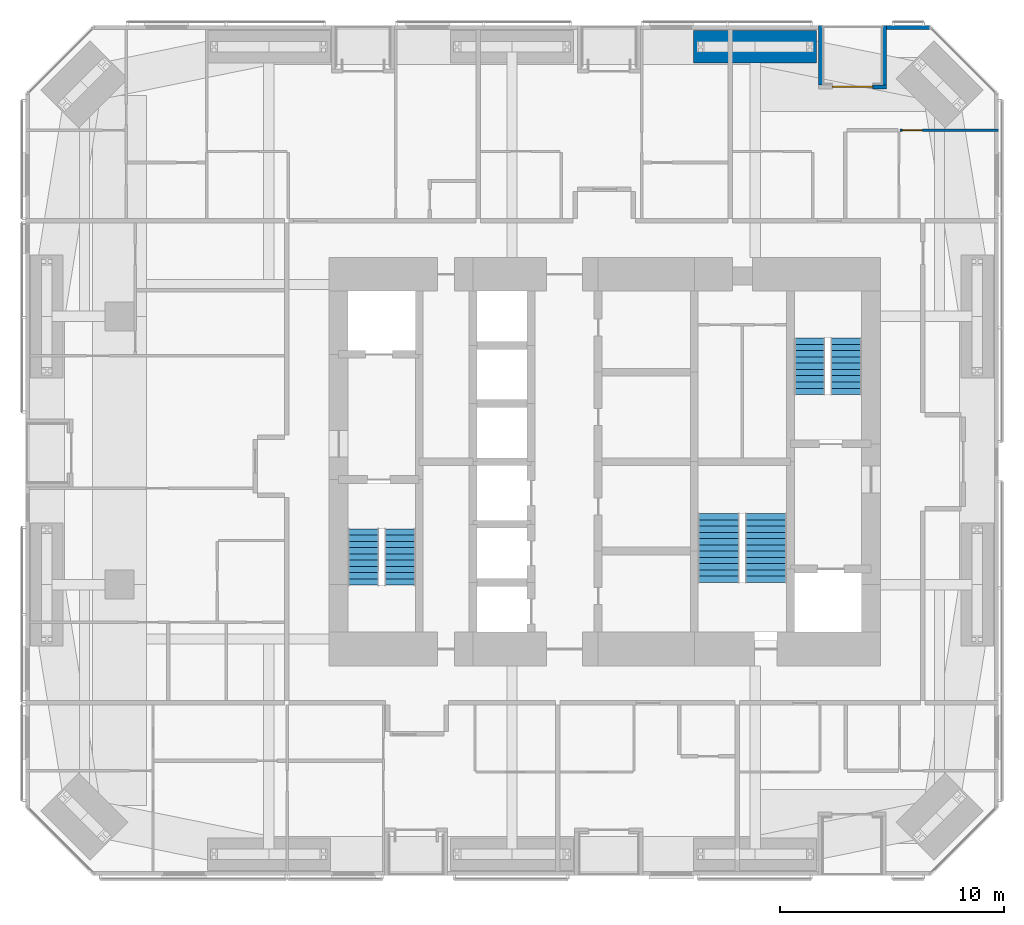
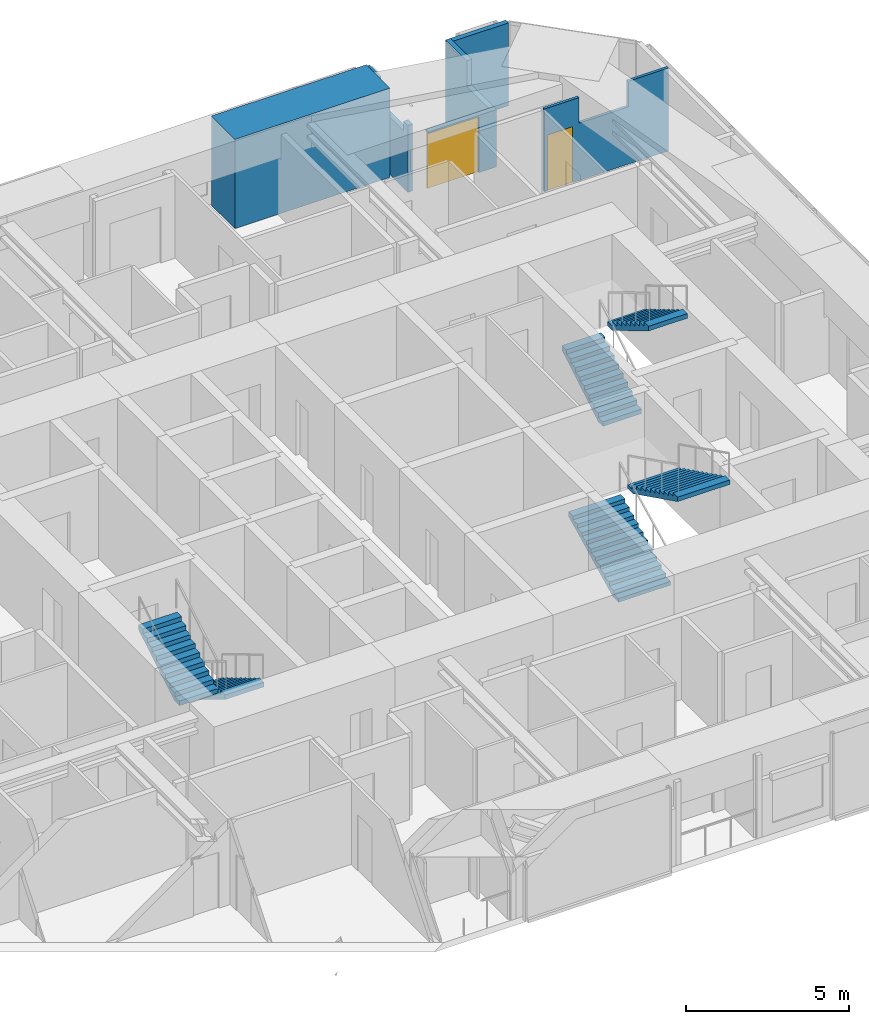
# One storey, part 23 of 24: 6 stair flights, 6 walls, 2 doors, 2 openings, 3 elements without a shape of their own.
"""IFC4 building model written with IfcOpenShell, lengths in metres."""

import ifcopenshell
import ifcopenshell.guid

model = None  # the IFC model being written
_history = None  # IfcOwnerHistory: only IFC2X3 demands one
_inside = {}  # id of a spatial element -> (the spatial element, [elements in it])
_under = {}  # id of a project, library or spatial element -> (it, [spatial elements below it])
_declared = {}  # id of a project -> (the project, [libraries it declares])
_typed = {}  # id of a type object -> (the type object, [elements of that type])
_made_of = {}  # id of a material, layer set ... -> (it, [elements and type objects made of it])


def new_model(schema):
    """Start an empty IFC model of exactly this schema.

    Asked for "IFC4X3", IfcOpenShell would pick the latest addendum, in which some entities
    have other attributes; the version numbers below select the first issue.
    IFC2X3 requires an IfcOwnerHistory on every rooted entity: one is made here for all.
    """
    global model, _history
    if schema == "IFC4X3":
        model = ifcopenshell.file(schema_version=(4, 3, 0, 0))
    else:
        model = ifcopenshell.file(schema=schema)
    _inside.clear()
    _under.clear()
    _declared.clear()
    _typed.clear()
    _made_of.clear()
    _history = None
    if model.schema == "IFC2X3":
        org = make("IfcOrganization", Name="unknown")
        user = make(
            "IfcPersonAndOrganization",
            ThePerson=make("IfcPerson", FamilyName="unknown"),
            TheOrganization=org,
        )
        app = make(
            "IfcApplication",
            ApplicationDeveloper=org,
            Version="unknown",
            ApplicationFullName="unknown",
            ApplicationIdentifier="unknown",
        )
        _history = make(
            "IfcOwnerHistory",
            OwningUser=user,
            OwningApplication=app,
            ChangeAction="ADDED",
            CreationDate=0,
        )
    return model


def make(cls, **values):
    """One entity of the class cls with the attributes given. An attribute that is None is left unset."""
    return model.create_entity(
        cls, **{name: value for name, value in values.items() if value is not None}
    )


def rooted(cls, **values):
    """An entity with a GlobalId (a new one), such as an element, a storey or a relation."""
    return make(cls, GlobalId=ifcopenshell.guid.new(), OwnerHistory=_history, **values)


def si_unit(unit_type, name, prefix=None):
    """IfcSIUnit, for example si_unit("LENGTHUNIT", "METRE", prefix="MILLI")."""
    return make("IfcSIUnit", UnitType=unit_type, Prefix=prefix, Name=name)


def assignment(units):
    """IfcUnitAssignment: the units of a project."""
    return None if units is None else make("IfcUnitAssignment", Units=units)


def point(xyz):
    """IfcCartesianPoint."""
    return None if xyz is None else make("IfcCartesianPoint", Coordinates=xyz)


def direction(xyz):
    """IfcDirection."""
    return None if xyz is None else make("IfcDirection", DirectionRatios=xyz)


def frame(location, z_axis=None, x_axis=None):
    """IfcAxis2Placement3D, a coordinate frame: its origin and axes. An axis left out is left unset."""
    return make(
        "IfcAxis2Placement3D",
        Location=point(location),
        Axis=direction(z_axis),
        RefDirection=direction(x_axis),
    )


def frame_2d(location, x_axis=None):
    """IfcAxis2Placement2D, a coordinate frame in the plane: its origin and x axis."""
    return make(
        "IfcAxis2Placement2D", Location=point(location), RefDirection=direction(x_axis)
    )


def origin():
    """The frame at (0, 0, 0) with its axes left unset."""
    return frame((0.0, 0.0, 0.0))


def place(relative_to, where):
    """IfcLocalPlacement: puts the frame where relative to a parent placement (None: the world)."""
    return make(
        "IfcLocalPlacement", PlacementRelTo=relative_to, RelativePlacement=where
    )


def context(
    kind, dimensions, precision=None, world=None, true_north=None, identifier=None
):
    """IfcGeometricRepresentationContext, for example the 3D "Model" context."""
    return make(
        "IfcGeometricRepresentationContext",
        ContextIdentifier=identifier,
        ContextType=kind,
        CoordinateSpaceDimension=dimensions,
        Precision=precision,
        WorldCoordinateSystem=world,
        TrueNorth=true_north,
    )


def subcontext(parent, identifier, kind, view, scale=None):
    """IfcGeometricRepresentationSubContext, for example "Body" below "Model"."""
    return make(
        "IfcGeometricRepresentationSubContext",
        ContextIdentifier=identifier,
        ContextType=kind,
        ParentContext=parent,
        TargetScale=scale,
        TargetView=view,
    )


def project(units=None, contexts=None):
    """IfcProject with its units and contexts."""
    return rooted(
        "IfcProject",
        Name="project",
        RepresentationContexts=contexts,
        UnitsInContext=assignment(units),
    )


def spatial(cls, under=None, at=None, **own):
    """A site, building, storey or space (cls), placed at a placement, below another one or the project."""
    s = rooted(cls, ObjectPlacement=at, **own)
    if under is not None:
        _under.setdefault(under.id(), (under, []))[1].append(s)
    return s


def polyline(points):
    """IfcPolyline through the points."""
    return make("IfcPolyline", Points=[point(p) for p in points])


def profile(cls, at=None, kind="AREA", **sizes):
    """A parametric profile (cls). Its sizes go by their IFC names, for example OverallWidth=200.0."""
    return make(cls, ProfileType=kind, Position=at, **sizes)


def rectangle(**sizes):
    """IfcRectangleProfileDef."""
    return profile("IfcRectangleProfileDef", **sizes)


def outline(outer, holes=None, kind="AREA"):
    """IfcArbitraryClosedProfileDef: a profile drawn as a closed curve; with holes, ...WithVoids."""
    if holes is None:
        return make("IfcArbitraryClosedProfileDef", ProfileType=kind, OuterCurve=outer)
    return make(
        "IfcArbitraryProfileDefWithVoids",
        ProfileType=kind,
        OuterCurve=outer,
        InnerCurves=holes,
    )


def extrude(swept, where, along, depth):
    """IfcExtrudedAreaSolid: the profile swept, set in the frame where, extruded along a direction by depth."""
    return make(
        "IfcExtrudedAreaSolid",
        SweptArea=swept,
        Position=where,
        ExtrudedDirection=direction(along),
        Depth=depth,
    )


def shape(context_of_items, identifier, shape_type, items):
    """IfcShapeRepresentation: the items that make up one representation, for example the "Body"."""
    return make(
        "IfcShapeRepresentation",
        ContextOfItems=context_of_items,
        RepresentationIdentifier=identifier,
        RepresentationType=shape_type,
        Items=items,
    )


def material(Name=None, Category=None):
    """IfcMaterial."""
    return make("IfcMaterial", Name=Name, Category=Category)


def layer(
    of_material, thickness, ventilated=None, Name=None, Category=None, Priority=None
):
    """IfcMaterialLayer: one layer of a wall or slab, of a material (None: an air gap)."""
    return make(
        "IfcMaterialLayer",
        Material=of_material,
        LayerThickness=thickness,
        IsVentilated=ventilated,
        Name=Name,
        Category=Category,
        Priority=Priority,
    )


def layer_set(layers, Name=None):
    """IfcMaterialLayerSet."""
    return make("IfcMaterialLayerSet", MaterialLayers=layers, LayerSetName=Name)


def constituent(of_material, Name=None, Category=None, fraction=None):
    """IfcMaterialConstituent: one of the materials an element consists of."""
    return make(
        "IfcMaterialConstituent",
        Name=Name,
        Material=of_material,
        Fraction=fraction,
        Category=Category,
    )


def constituent_set(constituents=None, Name=None):
    """IfcMaterialConstituentSet."""
    return make(
        "IfcMaterialConstituentSet", Name=Name, MaterialConstituents=constituents
    )


def made_of(thing, what):
    """Note that an element or type object is made of a material, layer set ...; save() writes the relation."""
    if what is not None:
        _made_of.setdefault(what.id(), (what, []))[1].append(thing)
    return thing


def type_object(cls, material=None, **own):
    """A type object (cls), such as IfcWallType, which elements share."""
    return made_of(rooted(cls, **own), material)


def element(
    cls,
    number,
    at=None,
    inside=None,
    cuts=None,
    type_object=None,
    material=None,
    context=None,
    identifier="Body",
    shape_type=None,
    held_by="IfcProductDefinitionShape",
    body=None,
    shapes=None,
    **own,
):
    """One element of the class cls, such as IfcWall. Its Tag is "e" and its number.

    at: its placement. inside: the storey or other place that contains it. cuts: it is an
    opening in that element (IfcRelVoidsElement). A single representation is given by context,
    identifier, shape_type and body (its items); several are given by shapes. held_by: the class
    of the entity that holds the representations. save() writes the other relations.
    """
    e = rooted(cls, Tag="e%d" % number, ObjectPlacement=at, **own)
    if body is not None:
        shapes = [shape(context, identifier, shape_type, body)]
    if shapes is not None:
        e.Representation = make(held_by, Representations=shapes)
    if inside is not None:
        _inside.setdefault(inside.id(), (inside, []))[1].append(e)
    if cuts is not None:
        rooted(
            "IfcRelVoidsElement", RelatingBuildingElement=cuts, RelatedOpeningElement=e
        )
    if type_object is not None:
        _typed.setdefault(type_object.id(), (type_object, []))[1].append(e)
    return made_of(e, material)


def fill(opening, filler):
    """IfcRelFillsElement: the door or window that sits in an opening."""
    return rooted(
        "IfcRelFillsElement",
        RelatingOpeningElement=opening,
        RelatedBuildingElement=filler,
    )


def aggregate(whole, parts):
    """IfcRelAggregates: a whole, such as a stair, and the parts it consists of."""
    return rooted("IfcRelAggregates", RelatingObject=whole, RelatedObjects=parts)


def save(model, path):
    """Write the relations noted so far, then the file.

    IfcRelAggregates (storeys below a building ...), IfcRelContainedInSpatialStructure (elements
    in a storey), IfcRelDefinesByType, IfcRelAssociatesMaterial and IfcRelDeclares: one each for
    every whole, place, type object, material and project.
    """
    for whole, parts in _under.values():
        aggregate(whole, parts)
    for where, things in _inside.values():
        rooted(
            "IfcRelContainedInSpatialStructure",
            RelatedElements=things,
            RelatingStructure=where,
        )
    for kind, things in _typed.values():
        rooted("IfcRelDefinesByType", RelatedObjects=things, RelatingType=kind)
    for what, things in _made_of.values():
        rooted("IfcRelAssociatesMaterial", RelatedObjects=things, RelatingMaterial=what)
    for by, libraries in _declared.values():
        rooted("IfcRelDeclares", RelatingContext=by, RelatedDefinitions=libraries)
    model.write(path)


model = new_model("IFC4")

# Units and contexts
model_context = context("Model", 3, precision=1e-05, world=origin(), true_north=direction((0.0, 1.0)))
body_context = subcontext(model_context, "Body", "Model", "MODEL_VIEW")
ifc_project = project(units=[si_unit("LENGTHUNIT", "METRE"), si_unit("AREAUNIT", "SQUARE_METRE"), si_unit("VOLUMEUNIT", "CUBIC_METRE"), si_unit("PLANEANGLEUNIT", "RADIAN"), si_unit("MASSUNIT", "GRAM", prefix="KILO")], contexts=[model_context])

# Site, building, storey
site_placement = place(None, origin())
site = spatial("IfcSite", under=ifc_project, at=site_placement, CompositionType="ELEMENT")
building_placement = place(site_placement, origin())
building = spatial("IfcBuilding", under=site, at=building_placement, Name="Jalousie Tower", CompositionType="ELEMENT")
storey_placement = place(building_placement, frame((0.0, 0.0, 91.449951171875)))
storey = spatial("IfcBuildingStorey", under=building, at=storey_placement, Name="L24", CompositionType="ELEMENT", Elevation=91.449951171875)

# Wall
ifc_material_1 = material(Name="Concrete f'c 40 MPa", Category="concrete")
ifc_constituent_1 = constituent(ifc_material_1, Name="Body")
ifc_material_2 = material(Name="Render, pastel sea green")
ifc_constituent_2 = constituent(ifc_material_2, Name="Finish")
ifc_constituent_set_1 = constituent_set(constituents=[ifc_constituent_1, ifc_constituent_2])
wall_type_1 = type_object("IfcWallType", Name="EXTERNAL WALL 175 SEA GREEN RENDER", PredefinedType="SOLIDWALL", material=ifc_constituent_set_1)
wall_1_placement = place(storey_placement, frame((46.44873046875, 37.91259765625, 0.0), z_axis=(0.0, 0.0, 1.0), x_axis=(-1.0, 0.0, 0.0)))
element("IfcWall", 1, at=wall_1_placement, inside=storey, type_object=wall_type_1, Name="External Wall 175 Sea Green Render L24", PredefinedType="SOLIDWALL", context=body_context, shape_type="SweptSolid", body=[
    extrude(rectangle(XDim=1.949951171875, YDim=0.175048828125, at=frame_2d((0.97509765625, 0.0))), origin(), (0.0, 0.0, 1.0), 3.110107421875),
])

# Wall, opening, door
wall_2_placement = place(storey_placement, frame((44.498779296875, 35.262451171875, 0.0), z_axis=(0.0, 0.0, 1.0), x_axis=(-1.0, 0.0, 0.0)))
wall_2 = element("IfcWall", 2, at=wall_2_placement, inside=storey, type_object=wall_type_1, Name="External Wall 175 Sea Green Render L24-A", PredefinedType="SOLIDWALL", context=body_context, shape_type="SweptSolid", body=[
    extrude(rectangle(XDim=2.425048828125, YDim=0.175048828125, at=frame_2d((1.21240234375, 0.0))), origin(), (0.0, 0.0, 1.0), 2.150146484375),
])
opening_1_placement = place(wall_2_placement, frame((0.625, 0.0, 0.0)))
opening_1 = element("IfcOpeningElement", 3, at=opening_1_placement, cuts=wall_2, Name="Opening D-BAL21", PredefinedType="OPENING", context=body_context, shape_type="SweptSolid", body=[
    extrude(rectangle(XDim=1.800048828125, YDim=2.10009765625, at=frame_2d((0.89990234375, 1.050048828125))), frame((0.0, 0.097412109375, 0.0), z_axis=(0.0, -1.0, 0.0), x_axis=(1.0, 0.0, 0.0)), (0.0, 0.0, 1.0), 0.195068359375),
])
ifc_material_3 = material(Name="Aluminium frame, impact-rated glazing", Category="aluminium")
door_type_1 = type_object("IfcDoorType", Name="BALCONY DOOR 1800x2100", OperationType="SLIDING_TO_LEFT", PredefinedType="DOOR", material=ifc_material_3)
door_1_placement = place(opening_1_placement, origin())
door_1 = element("IfcDoor", 4, at=door_1_placement, inside=storey, type_object=door_type_1, Name="Apartment 2406 living and dining room loggia door", OperationType="SLIDING_TO_LEFT", OverallHeight=2.10009765625, OverallWidth=1.800048828125, PredefinedType="DOOR", context=body_context, shape_type="SweptSolid", body=[
    extrude(rectangle(XDim=1.800048828125, YDim=2.10009765625, at=frame_2d((0.89990234375, 1.050048828125))), frame((0.0, 0.02490234375, 0.0), z_axis=(0.0, -1.0, 0.0), x_axis=(1.0, 0.0, 0.0)), (0.0, 0.0, 1.0), 0.050048828125),
])
fill(opening_1, door_1)

# Walls
wall_3_placement = place(storey_placement, frame((44.4111328125, 38.0, 0.0), z_axis=(0.0, 0.0, 1.0), x_axis=(0.0, -1.0, 0.0)))
element("IfcWall", 5, at=wall_3_placement, inside=storey, type_object=wall_type_1, Name="External Wall 175 Sea Green Render L24", PredefinedType="SOLIDWALL", context=body_context, shape_type="SweptSolid", body=[
    extrude(outline(polyline([(0.0, 0.0), (2.64990234375, 0.0), (2.64990234375, 2.150146484375), (1.2958984375, 2.150146484375), (1.2958984375, 3.110107421875), (0.0, 3.110107421875), (0.0, 0.0)])), frame((0.0, 0.08740234375, 0.0), z_axis=(0.0, -1.0, 0.0), x_axis=(1.0, 0.0, 0.0)), (0.0, 0.0, 1.0), 0.175048828125),
])
wall_4_placement = place(storey_placement, frame((41.5361328125, 38.0, 0.0), z_axis=(0.0, 0.0, 1.0), x_axis=(0.0, -1.0, 0.0)))
element("IfcWall", 6, at=wall_4_placement, inside=storey, type_object=wall_type_1, Name="External Wall 175 Sea Green Render L24", PredefinedType="SOLIDWALL", context=body_context, shape_type="SweptSolid", body=[
    extrude(outline(polyline([(0.0, 0.0), (2.64990234375, 0.0), (2.64990234375, 2.510009765625), (2.378173828125, 2.510009765625), (2.378173828125, 2.150146484375), (0.70947265625, 2.150146484375), (0.70947265625, 3.110107421875), (0.0, 3.110107421875), (0.0, 0.0)])), frame((0.0, 0.08740234375, 0.0), z_axis=(0.0, -1.0, 0.0), x_axis=(1.0, 0.0, 0.0)), (0.0, 0.0, 1.0), 0.175048828125),
])

# Wall, opening, door
ifc_material_4 = material(Name="Gypsum board", Category="gypsum")
ifc_constituent_3 = constituent(ifc_material_4, Name="Body")
ifc_material_5 = material(Name="Light-gauge steel studs ASTM A653 SS Grade 33", Category="steel")
ifc_constituent_4 = constituent(ifc_material_5, Name="Framing")
ifc_constituent_set_2 = constituent_set(constituents=[ifc_constituent_3, ifc_constituent_4])
wall_type_2 = type_object("IfcWallType", Name="PARTITION 100", PredefinedType="PARTITIONING", material=ifc_constituent_set_2)
wall_5_placement = place(storey_placement, frame((45.10009765625, 33.32421875, 0.0), z_axis=(0.0, 0.0, 1.0), x_axis=(1.0, 0.0, 0.0)))
wall_5 = element("IfcWall", 7, at=wall_5_placement, inside=storey, type_object=wall_type_2, Name="Partition 100 L24", PredefinedType="PARTITIONING", context=body_context, shape_type="SweptSolid", body=[
    extrude(outline(polyline([(0.0, 0.0), (4.39990234375, 0.0), (4.39990234375, 3.110107421875), (2.971435546875, 3.110107421875), (2.971435546875, 2.150146484375), (1.22900390625, 2.150146484375), (1.22900390625, 3.110107421875), (0.0, 3.110107421875), (0.0, 0.0)])), frame((0.0, 0.050048828125, 0.0), z_axis=(0.0, -1.0, 0.0), x_axis=(1.0, 0.0, 0.0)), (0.0, 0.0, 1.0), 0.10009765625),
])
opening_2_placement = place(wall_5_placement, frame((0.10009765625, 0.0, 0.0)))
opening_2 = element("IfcOpeningElement", 8, at=opening_2_placement, cuts=wall_5, Name="Opening D2", PredefinedType="OPENING", context=body_context, shape_type="SweptSolid", body=[
    extrude(rectangle(XDim=0.89990234375, YDim=2.10009765625, at=frame_2d((0.449951171875, 1.050048828125))), frame((0.0, 0.06005859375, 0.0), z_axis=(0.0, -1.0, 0.0), x_axis=(1.0, 0.0, 0.0)), (0.0, 0.0, 1.0), 0.1201171875),
])
ifc_material_6 = material(Name="Timber door", Category="wood")
door_type_2 = type_object("IfcDoorType", Name="BEDROOM DOOR 900", OperationType="SINGLE_SWING_LEFT", PredefinedType="DOOR", material=ifc_material_6)
door_2_placement = place(opening_2_placement, frame((0.89990234375, 0.0, 0.0), z_axis=(0.0, 0.0, 1.0), x_axis=(-1.0, 0.0, 0.0)))
door_2 = element("IfcDoor", 9, at=door_2_placement, inside=storey, type_object=door_type_2, Name="Apartment 2406 bedroom 1 door", OperationType="SINGLE_SWING_RIGHT", OverallHeight=2.10009765625, OverallWidth=0.89990234375, PredefinedType="DOOR", context=body_context, shape_type="SweptSolid", body=[
    extrude(rectangle(XDim=0.89990234375, YDim=2.10009765625, at=frame_2d((0.449951171875, 1.050048828125))), frame((0.0, 0.02490234375, 0.0), z_axis=(0.0, -1.0, 0.0), x_axis=(1.0, 0.0, 0.0)), (0.0, 0.0, 1.0), 0.050048828125),
])
fill(opening_2, door_2)

# Wall
ifc_material_7 = material(Name="Concrete f'c 120 MPa", Category="concrete")
ifc_layer = layer(ifc_material_7, 1.449951171875)
ifc_layer_set = layer_set([ifc_layer], Name="Concrete f'c 120 MPa")
wall_type_3 = type_object("IfcWallType", Name="RC WALL PIER 1450", PredefinedType="SHEAR", material=ifc_layer_set)
wall_6_placement = place(storey_placement, frame((35.875, 37.050048828125, 0.0), z_axis=(0.0, 0.0, 1.0), x_axis=(1.0, 0.0, 0.0)))
element("IfcWall", 10, at=wall_6_placement, inside=storey, type_object=wall_type_3, Name="Wall pier 09 L24", PredefinedType="SHEAR", context=body_context, shape_type="SweptSolid", body=[
    extrude(rectangle(XDim=5.5, YDim=1.449951171875, at=frame_2d((2.75, 0.0))), origin(), (0.0, 0.0, 1.0), 3.35009765625),
])

# Stair, stair flights
ifc_material_8 = material(Name="Concrete f'c 40 MPa", Category="concrete")
stair_type = type_object("IfcStairType", Name="EXIT STAIR", PredefinedType="HALF_TURN_STAIR", material=ifc_material_8)
stair_1_placement = place(storey_placement, origin())
stair_1 = element("IfcStair", 11, at=stair_1_placement, inside=storey, type_object=stair_type, Name="Exit stair A L24", PredefinedType="HALF_TURN_STAIR")
ifc_material_9 = material(Name="Concrete f'c 40 MPa", Category="concrete")
stair_flight_type = type_object("IfcStairFlightType", Name="STAIR FLIGHT", PredefinedType="STRAIGHT", material=ifc_material_9)
stair_flight_1_placement = place(storey_placement, frame((22.737548828125, 15.49755859375, 0.0), z_axis=(0.0, 0.0, 1.0), x_axis=(0.0, -1.0, 0.0)))
stair_flight_1 = element("IfcStairFlight", 12, at=stair_flight_1_placement, type_object=stair_flight_type, Name="ST-A flight 1", NumberOfRisers=10, NumberOfTreads=9, PredefinedType="STRAIGHT", RiserHeight=0.1675, TreadLength=0.28, context=body_context, shape_type="SweptSolid", body=[
    extrude(outline(polyline([(0.0, 0.0), (0.0, 0.16748046875), (0.280029296875, 0.16748046875), (0.280029296875, 0.3349609375), (0.56005859375, 0.3349609375), (0.56005859375, 0.50244140625), (0.840087890625, 0.50244140625), (0.840087890625, 0.669921875), (1.1201171875, 0.669921875), (1.1201171875, 0.83740234375), (1.39990234375, 0.83740234375), (1.39990234375, 1.0048828125), (1.679931640625, 1.0048828125), (1.679931640625, 1.172607421875), (1.9599609375, 1.172607421875), (1.9599609375, 1.340087890625), (2.239990234375, 1.340087890625), (2.239990234375, 1.507568359375), (2.52001953125, 1.507568359375), (2.52001953125, 1.675048828125), (2.52001953125, 1.332763671875), (0.2919921875, 0.0), (0.0, 0.0)])), frame((0.0, 0.6875, 0.0), z_axis=(0.0, -1.0, 0.0), x_axis=(1.0, 0.0, 0.0)), (0.0, 0.0, 1.0), 1.375),
])
stair_flight_2_placement = place(storey_placement, frame((21.112548828125, 12.9775390625, 1.675048828125), z_axis=(0.0, 0.0, 1.0), x_axis=(0.0, 1.0, 0.0)))
stair_flight_2 = element("IfcStairFlight", 13, at=stair_flight_2_placement, type_object=stair_flight_type, Name="ST-A flight 2", NumberOfRisers=10, NumberOfTreads=9, PredefinedType="STRAIGHT", RiserHeight=0.1675, TreadLength=0.28, context=body_context, shape_type="SweptSolid", body=[
    extrude(outline(polyline([(0.0, 0.0), (0.0, 0.16748046875), (0.280029296875, 0.16748046875), (0.280029296875, 0.3349609375), (0.56005859375, 0.3349609375), (0.56005859375, 0.50244140625), (0.840087890625, 0.50244140625), (0.840087890625, 0.669921875), (1.1201171875, 0.669921875), (1.1201171875, 0.83740234375), (1.39990234375, 0.83740234375), (1.39990234375, 1.0048828125), (1.679931640625, 1.0048828125), (1.679931640625, 1.172607421875), (1.9599609375, 1.172607421875), (1.9599609375, 1.340087890625), (2.239990234375, 1.340087890625), (2.239990234375, 1.507568359375), (2.52001953125, 1.507568359375), (2.52001953125, 1.675048828125), (2.52001953125, 1.332763671875), (0.2919921875, 0.0), (0.0, 0.0)])), frame((0.0, 0.6875, 0.0), z_axis=(0.0, -1.0, 0.0), x_axis=(1.0, 0.0, 0.0)), (0.0, 0.0, 1.0), 1.375),
])
aggregate(stair_1, [stair_flight_1, stair_flight_2])

stair_2_placement = place(storey_placement, origin())
stair_2 = element("IfcStair", 14, at=stair_2_placement, inside=storey, type_object=stair_type, Name="Exit stair B L24", PredefinedType="HALF_TURN_STAIR")
stair_flight_3_placement = place(storey_placement, frame((41.0625, 21.50244140625, 0.0), z_axis=(0.0, 0.0, 1.0), x_axis=(0.0, 1.0, 0.0)))
stair_flight_3 = element("IfcStairFlight", 15, at=stair_flight_3_placement, type_object=stair_flight_type, Name="ST-B flight 1", NumberOfRisers=10, NumberOfTreads=9, PredefinedType="STRAIGHT", RiserHeight=0.1675, TreadLength=0.28, context=body_context, shape_type="SweptSolid", body=[
    extrude(outline(polyline([(0.0, 0.0), (0.0, 0.16748046875), (0.280029296875, 0.16748046875), (0.280029296875, 0.3349609375), (0.56005859375, 0.3349609375), (0.56005859375, 0.50244140625), (0.840087890625, 0.50244140625), (0.840087890625, 0.669921875), (1.1201171875, 0.669921875), (1.1201171875, 0.83740234375), (1.39990234375, 0.83740234375), (1.39990234375, 1.0048828125), (1.679931640625, 1.0048828125), (1.679931640625, 1.172607421875), (1.9599609375, 1.172607421875), (1.9599609375, 1.340087890625), (2.239990234375, 1.340087890625), (2.239990234375, 1.507568359375), (2.52001953125, 1.507568359375), (2.52001953125, 1.675048828125), (2.52001953125, 1.332763671875), (0.2919921875, 0.0), (0.0, 0.0)])), frame((0.0, 0.6875, 0.0), z_axis=(0.0, -1.0, 0.0), x_axis=(1.0, 0.0, 0.0)), (0.0, 0.0, 1.0), 1.375),
])
stair_flight_4_placement = place(storey_placement, frame((42.6875, 24.0224609375, 1.675048828125), z_axis=(0.0, 0.0, 1.0), x_axis=(0.0, -1.0, 0.0)))
stair_flight_4 = element("IfcStairFlight", 16, at=stair_flight_4_placement, type_object=stair_flight_type, Name="ST-B flight 2", NumberOfRisers=10, NumberOfTreads=9, PredefinedType="STRAIGHT", RiserHeight=0.1675, TreadLength=0.28, context=body_context, shape_type="SweptSolid", body=[
    extrude(outline(polyline([(0.0, 0.0), (0.0, 0.16748046875), (0.280029296875, 0.16748046875), (0.280029296875, 0.3349609375), (0.56005859375, 0.3349609375), (0.56005859375, 0.50244140625), (0.840087890625, 0.50244140625), (0.840087890625, 0.669921875), (1.1201171875, 0.669921875), (1.1201171875, 0.83740234375), (1.39990234375, 0.83740234375), (1.39990234375, 1.0048828125), (1.679931640625, 1.0048828125), (1.679931640625, 1.172607421875), (1.9599609375, 1.172607421875), (1.9599609375, 1.340087890625), (2.239990234375, 1.340087890625), (2.239990234375, 1.507568359375), (2.52001953125, 1.507568359375), (2.52001953125, 1.675048828125), (2.52001953125, 1.332763671875), (0.2919921875, 0.0), (0.0, 0.0)])), frame((0.0, 0.6875, 0.0), z_axis=(0.0, -1.0, 0.0), x_axis=(1.0, 0.0, 0.0)), (0.0, 0.0, 1.0), 1.375),
])
aggregate(stair_2, [stair_flight_3, stair_flight_4])

stair_3_placement = place(storey_placement, origin())
stair_3 = element("IfcStair", 17, at=stair_3_placement, inside=storey, type_object=stair_type, Name="Exit stair C L24", PredefinedType="HALF_TURN_STAIR")
stair_flight_5_placement = place(storey_placement, frame((37.0, 13.097412109375, 0.0), z_axis=(0.0, 0.0, 1.0), x_axis=(0.0, 1.0, 0.0)))
stair_flight_5 = element("IfcStairFlight", 18, at=stair_flight_5_placement, type_object=stair_flight_type, Name="ST-C flight 1", NumberOfRisers=12, NumberOfTreads=11, PredefinedType="STRAIGHT", RiserHeight=0.139583333, TreadLength=0.28, context=body_context, shape_type="SweptSolid", body=[
    extrude(outline(polyline([(0.0, 0.0), (0.0, 0.1396484375), (0.280029296875, 0.1396484375), (0.280029296875, 0.279052734375), (0.56005859375, 0.279052734375), (0.56005859375, 0.418701171875), (0.840087890625, 0.418701171875), (0.840087890625, 0.558349609375), (1.1201171875, 0.558349609375), (1.1201171875, 0.697998046875), (1.39990234375, 0.697998046875), (1.39990234375, 0.83740234375), (1.679931640625, 0.83740234375), (1.679931640625, 0.97705078125), (1.9599609375, 0.97705078125), (1.9599609375, 1.11669921875), (2.239990234375, 1.11669921875), (2.239990234375, 1.25634765625), (2.52001953125, 1.25634765625), (2.52001953125, 1.395751953125), (2.800048828125, 1.395751953125), (2.800048828125, 1.535400390625), (3.080078125, 1.535400390625), (3.080078125, 1.675048828125), (3.080078125, 1.367919921875), (0.3359375, 0.0), (0.0, 0.0)])), frame((0.0, 0.925048828125, 0.0), z_axis=(0.0, -1.0, 0.0), x_axis=(1.0, 0.0, 0.0)), (0.0, 0.0, 1.0), 1.85009765625),
])
stair_flight_6_placement = place(storey_placement, frame((39.10009765625, 16.177490234375, 1.675048828125), z_axis=(0.0, 0.0, 1.0), x_axis=(0.0, -1.0, 0.0)))
stair_flight_6 = element("IfcStairFlight", 19, at=stair_flight_6_placement, type_object=stair_flight_type, Name="ST-C flight 2", NumberOfRisers=12, NumberOfTreads=11, PredefinedType="STRAIGHT", RiserHeight=0.139583333, TreadLength=0.28, context=body_context, shape_type="SweptSolid", body=[
    extrude(outline(polyline([(0.0, 0.0), (0.0, 0.1396484375), (0.280029296875, 0.1396484375), (0.280029296875, 0.279052734375), (0.56005859375, 0.279052734375), (0.56005859375, 0.418701171875), (0.840087890625, 0.418701171875), (0.840087890625, 0.558349609375), (1.1201171875, 0.558349609375), (1.1201171875, 0.697998046875), (1.39990234375, 0.697998046875), (1.39990234375, 0.83740234375), (1.679931640625, 0.83740234375), (1.679931640625, 0.97705078125), (1.9599609375, 0.97705078125), (1.9599609375, 1.11669921875), (2.239990234375, 1.11669921875), (2.239990234375, 1.25634765625), (2.52001953125, 1.25634765625), (2.52001953125, 1.395751953125), (2.800048828125, 1.395751953125), (2.800048828125, 1.535400390625), (3.080078125, 1.535400390625), (3.080078125, 1.675048828125), (3.080078125, 1.367919921875), (0.3359375, 0.0), (0.0, 0.0)])), frame((0.0, 0.925048828125, 0.0), z_axis=(0.0, -1.0, 0.0), x_axis=(1.0, 0.0, 0.0)), (0.0, 0.0, 1.0), 1.85009765625),
])
aggregate(stair_3, [stair_flight_5, stair_flight_6])

save(model, "model.ifc")
